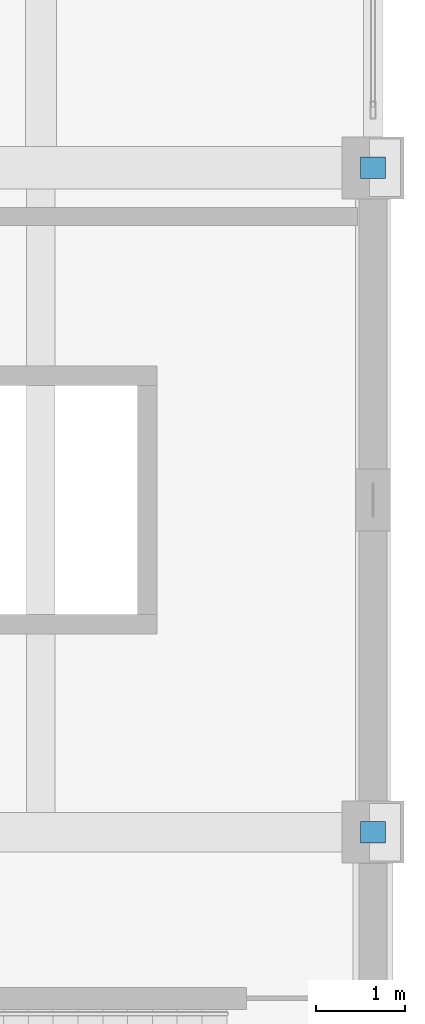
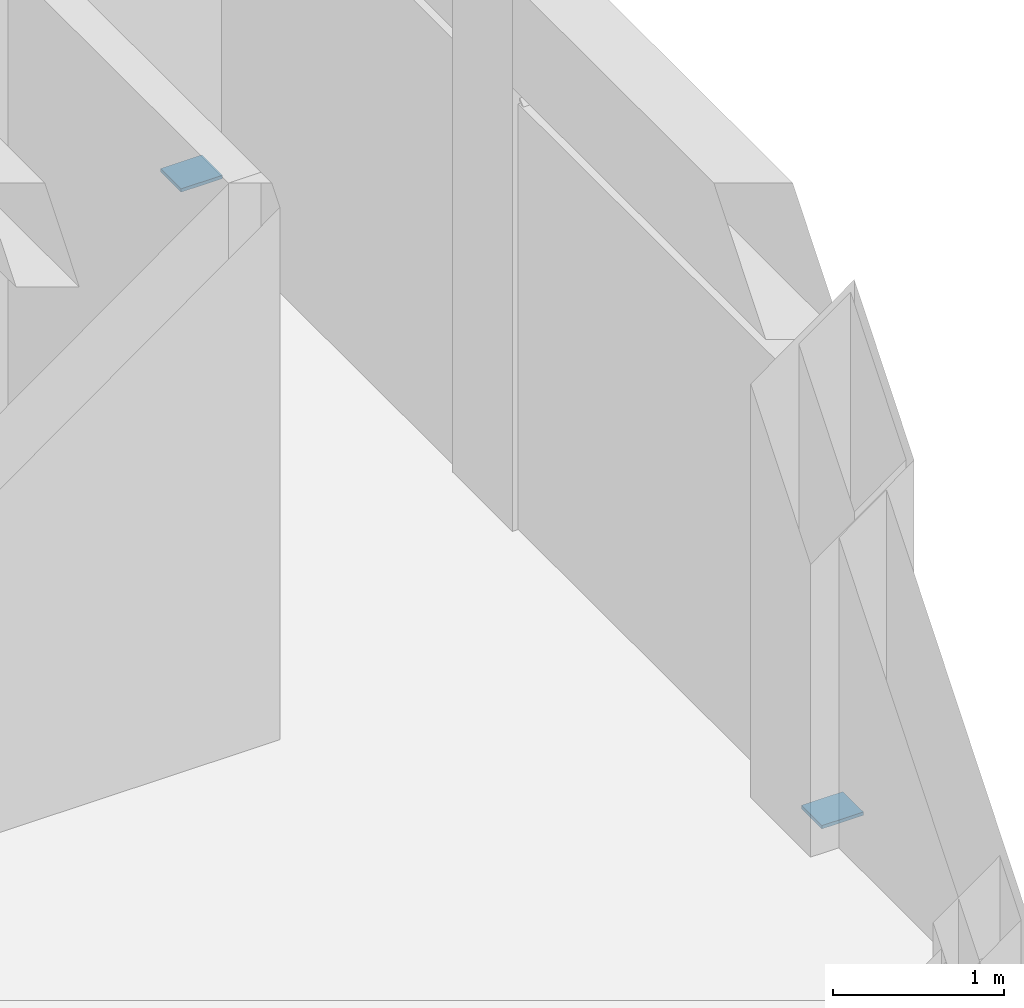
# One storey, part 116 of 132: 2 discrete accessories.
"""IFC4 building model written with IfcOpenShell, lengths in metres."""

from ifc_helpers import new_model, si_unit, direction, frame, origin, origin_2d, place, context, subcontext, project, spatial, rectangle, extrude, material, type_object, element, save


model = new_model("IFC4")

# Units and contexts
model_context = context("Model", 3, precision=1e-05, world=origin(), true_north=direction((0.0, 1.0)))
body_context = subcontext(model_context, "Body", "Model", "MODEL_VIEW")
ifc_project = project(units=[si_unit("LENGTHUNIT", "METRE"), si_unit("AREAUNIT", "SQUARE_METRE"), si_unit("VOLUMEUNIT", "CUBIC_METRE"), si_unit("PLANEANGLEUNIT", "RADIAN"), si_unit("MASSUNIT", "GRAM", prefix="KILO")], contexts=[model_context])

# Site, building, storey
site_placement = place(None, origin())
site = spatial("IfcSite", under=ifc_project, at=site_placement, CompositionType="ELEMENT")
building_placement = place(site_placement, origin())
building = spatial("IfcBuilding", under=site, at=building_placement, Name="Qasida Concert Hall", CompositionType="ELEMENT")
storey_placement = place(building_placement, frame((0.0, 0.0, 4.800048828125)))
storey = spatial("IfcBuildingStorey", under=building, at=storey_placement, Name="L01", CompositionType="ELEMENT", Elevation=4.800048828125)

# Discrete accessories
ifc_material = material(Name="Steel S355J2", Category="steel")
discrete_accessory_type = type_object("IfcDiscreteAccessoryType", Name="ACC-CONN-S355", PredefinedType="BRACKET", material=ifc_material)
for number, where, z_axis, x_axis, name in (
    (1, (165.0, 82.5, -0.011962890625), (0.0, 0.0, 1.0), (1.0, 0.0, 0.0), "Steel brace/strut end connection CN-0230"),
    (2, (165.0, 90.0, -0.011962890625), (0.0, 0.0, 1.0), (1.0, 0.0, 0.0), "Steel brace/strut end connection CN-0231"),
):
    element("IfcDiscreteAccessory", number, at=place(storey_placement, frame(where, z_axis=z_axis, x_axis=x_axis)), inside=storey, type_object=discrete_accessory_type, Name=name, PredefinedType="BRACKET", context=body_context, shape_type="SweptSolid", body=[
        extrude(rectangle(XDim=0.280029296875, YDim=0.239990234375, at=origin_2d()), origin(), (0.0, 0.0, 1.0), 0.02392578125),
    ])

save(model, "model.ifc")
